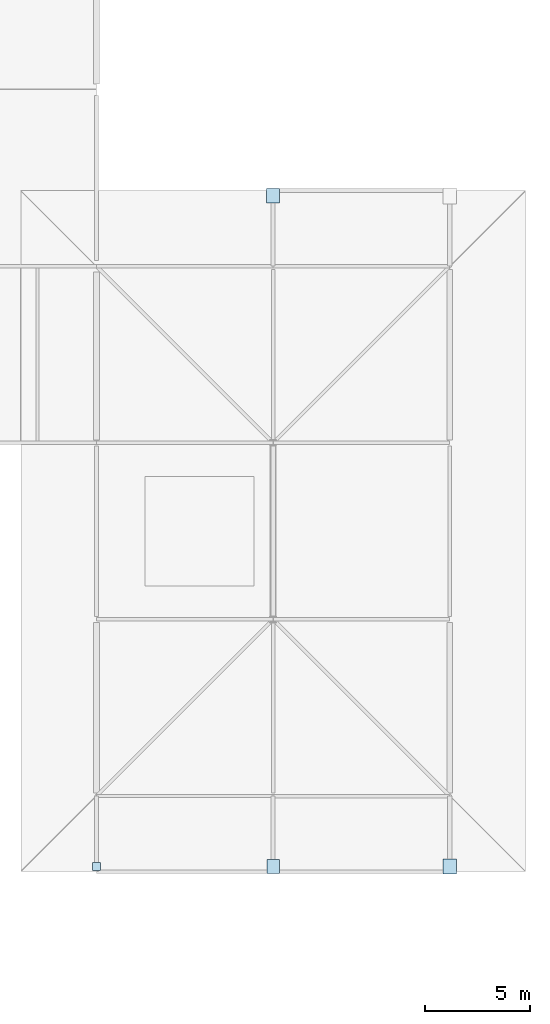
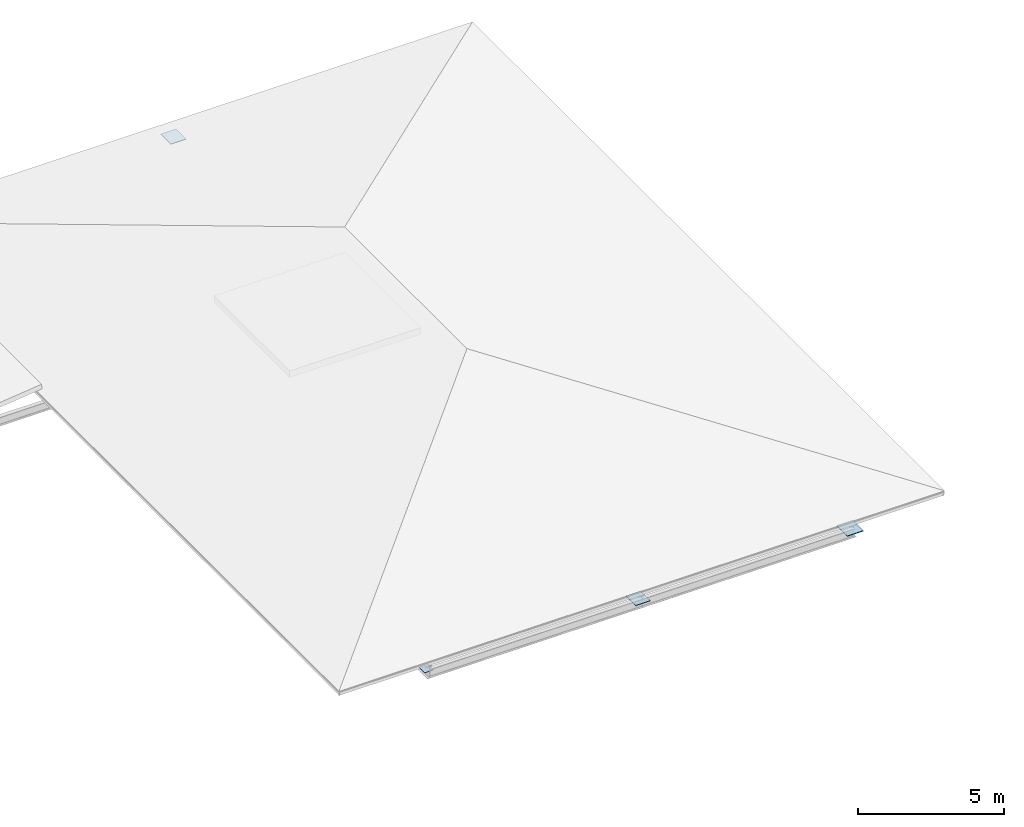
# One storey, part 81 of 103: 4 plates.
"""IFC4 building model written with IfcOpenShell, lengths in metres."""

import ifcopenshell
import ifcopenshell.guid

model = None  # the IFC model being written
_history = None  # IfcOwnerHistory: only IFC2X3 demands one
_inside = {}  # id of a spatial element -> (the spatial element, [elements in it])
_under = {}  # id of a project, library or spatial element -> (it, [spatial elements below it])
_declared = {}  # id of a project -> (the project, [libraries it declares])
_typed = {}  # id of a type object -> (the type object, [elements of that type])
_made_of = {}  # id of a material, layer set ... -> (it, [elements and type objects made of it])


def new_model(schema):
    """Start an empty IFC model of exactly this schema.

    Asked for "IFC4X3", IfcOpenShell would pick the latest addendum, in which some entities
    have other attributes; the version numbers below select the first issue.
    IFC2X3 requires an IfcOwnerHistory on every rooted entity: one is made here for all.
    """
    global model, _history
    if schema == "IFC4X3":
        model = ifcopenshell.file(schema_version=(4, 3, 0, 0))
    else:
        model = ifcopenshell.file(schema=schema)
    _inside.clear()
    _under.clear()
    _declared.clear()
    _typed.clear()
    _made_of.clear()
    _history = None
    if model.schema == "IFC2X3":
        org = make("IfcOrganization", Name="unknown")
        user = make(
            "IfcPersonAndOrganization",
            ThePerson=make("IfcPerson", FamilyName="unknown"),
            TheOrganization=org,
        )
        app = make(
            "IfcApplication",
            ApplicationDeveloper=org,
            Version="unknown",
            ApplicationFullName="unknown",
            ApplicationIdentifier="unknown",
        )
        _history = make(
            "IfcOwnerHistory",
            OwningUser=user,
            OwningApplication=app,
            ChangeAction="ADDED",
            CreationDate=0,
        )
    return model


def make(cls, **values):
    """One entity of the class cls with the attributes given. An attribute that is None is left unset."""
    return model.create_entity(
        cls, **{name: value for name, value in values.items() if value is not None}
    )


def rooted(cls, **values):
    """An entity with a GlobalId (a new one), such as an element, a storey or a relation."""
    return make(cls, GlobalId=ifcopenshell.guid.new(), OwnerHistory=_history, **values)


def si_unit(unit_type, name, prefix=None):
    """IfcSIUnit, for example si_unit("LENGTHUNIT", "METRE", prefix="MILLI")."""
    return make("IfcSIUnit", UnitType=unit_type, Prefix=prefix, Name=name)


def assignment(units):
    """IfcUnitAssignment: the units of a project."""
    return None if units is None else make("IfcUnitAssignment", Units=units)


def point(xyz):
    """IfcCartesianPoint."""
    return None if xyz is None else make("IfcCartesianPoint", Coordinates=xyz)


def direction(xyz):
    """IfcDirection."""
    return None if xyz is None else make("IfcDirection", DirectionRatios=xyz)


def frame(location, z_axis=None, x_axis=None):
    """IfcAxis2Placement3D, a coordinate frame: its origin and axes. An axis left out is left unset."""
    return make(
        "IfcAxis2Placement3D",
        Location=point(location),
        Axis=direction(z_axis),
        RefDirection=direction(x_axis),
    )


def frame_2d(location, x_axis=None):
    """IfcAxis2Placement2D, a coordinate frame in the plane: its origin and x axis."""
    return make(
        "IfcAxis2Placement2D", Location=point(location), RefDirection=direction(x_axis)
    )


def origin():
    """The frame at (0, 0, 0) with its axes left unset."""
    return frame((0.0, 0.0, 0.0))


def origin_2d():
    """The frame at (0, 0) in the plane with its x axis left unset."""
    return frame_2d((0.0, 0.0))


def place(relative_to, where):
    """IfcLocalPlacement: puts the frame where relative to a parent placement (None: the world)."""
    return make(
        "IfcLocalPlacement", PlacementRelTo=relative_to, RelativePlacement=where
    )


def context(
    kind, dimensions, precision=None, world=None, true_north=None, identifier=None
):
    """IfcGeometricRepresentationContext, for example the 3D "Model" context."""
    return make(
        "IfcGeometricRepresentationContext",
        ContextIdentifier=identifier,
        ContextType=kind,
        CoordinateSpaceDimension=dimensions,
        Precision=precision,
        WorldCoordinateSystem=world,
        TrueNorth=true_north,
    )


def subcontext(parent, identifier, kind, view, scale=None):
    """IfcGeometricRepresentationSubContext, for example "Body" below "Model"."""
    return make(
        "IfcGeometricRepresentationSubContext",
        ContextIdentifier=identifier,
        ContextType=kind,
        ParentContext=parent,
        TargetScale=scale,
        TargetView=view,
    )


def project(units=None, contexts=None):
    """IfcProject with its units and contexts."""
    return rooted(
        "IfcProject",
        Name="project",
        RepresentationContexts=contexts,
        UnitsInContext=assignment(units),
    )


def spatial(cls, under=None, at=None, **own):
    """A site, building, storey or space (cls), placed at a placement, below another one or the project."""
    s = rooted(cls, ObjectPlacement=at, **own)
    if under is not None:
        _under.setdefault(under.id(), (under, []))[1].append(s)
    return s


def profile(cls, at=None, kind="AREA", **sizes):
    """A parametric profile (cls). Its sizes go by their IFC names, for example OverallWidth=200.0."""
    return make(cls, ProfileType=kind, Position=at, **sizes)


def rectangle(**sizes):
    """IfcRectangleProfileDef."""
    return profile("IfcRectangleProfileDef", **sizes)


def extrude(swept, where, along, depth):
    """IfcExtrudedAreaSolid: the profile swept, set in the frame where, extruded along a direction by depth."""
    return make(
        "IfcExtrudedAreaSolid",
        SweptArea=swept,
        Position=where,
        ExtrudedDirection=direction(along),
        Depth=depth,
    )


def shape(context_of_items, identifier, shape_type, items):
    """IfcShapeRepresentation: the items that make up one representation, for example the "Body"."""
    return make(
        "IfcShapeRepresentation",
        ContextOfItems=context_of_items,
        RepresentationIdentifier=identifier,
        RepresentationType=shape_type,
        Items=items,
    )


def material(Name=None, Category=None):
    """IfcMaterial."""
    return make("IfcMaterial", Name=Name, Category=Category)


def layer(
    of_material, thickness, ventilated=None, Name=None, Category=None, Priority=None
):
    """IfcMaterialLayer: one layer of a wall or slab, of a material (None: an air gap)."""
    return make(
        "IfcMaterialLayer",
        Material=of_material,
        LayerThickness=thickness,
        IsVentilated=ventilated,
        Name=Name,
        Category=Category,
        Priority=Priority,
    )


def layer_set(layers, Name=None):
    """IfcMaterialLayerSet."""
    return make("IfcMaterialLayerSet", MaterialLayers=layers, LayerSetName=Name)


def made_of(thing, what):
    """Note that an element or type object is made of a material, layer set ...; save() writes the relation."""
    if what is not None:
        _made_of.setdefault(what.id(), (what, []))[1].append(thing)
    return thing


def type_object(cls, material=None, **own):
    """A type object (cls), such as IfcWallType, which elements share."""
    return made_of(rooted(cls, **own), material)


def element(
    cls,
    number,
    at=None,
    inside=None,
    cuts=None,
    type_object=None,
    material=None,
    context=None,
    identifier="Body",
    shape_type=None,
    held_by="IfcProductDefinitionShape",
    body=None,
    shapes=None,
    **own,
):
    """One element of the class cls, such as IfcWall. Its Tag is "e" and its number.

    at: its placement. inside: the storey or other place that contains it. cuts: it is an
    opening in that element (IfcRelVoidsElement). A single representation is given by context,
    identifier, shape_type and body (its items); several are given by shapes. held_by: the class
    of the entity that holds the representations. save() writes the other relations.
    """
    e = rooted(cls, Tag="e%d" % number, ObjectPlacement=at, **own)
    if body is not None:
        shapes = [shape(context, identifier, shape_type, body)]
    if shapes is not None:
        e.Representation = make(held_by, Representations=shapes)
    if inside is not None:
        _inside.setdefault(inside.id(), (inside, []))[1].append(e)
    if cuts is not None:
        rooted(
            "IfcRelVoidsElement", RelatingBuildingElement=cuts, RelatedOpeningElement=e
        )
    if type_object is not None:
        _typed.setdefault(type_object.id(), (type_object, []))[1].append(e)
    return made_of(e, material)


def aggregate(whole, parts):
    """IfcRelAggregates: a whole, such as a stair, and the parts it consists of."""
    return rooted("IfcRelAggregates", RelatingObject=whole, RelatedObjects=parts)


def save(model, path):
    """Write the relations noted so far, then the file.

    IfcRelAggregates (storeys below a building ...), IfcRelContainedInSpatialStructure (elements
    in a storey), IfcRelDefinesByType, IfcRelAssociatesMaterial and IfcRelDeclares: one each for
    every whole, place, type object, material and project.
    """
    for whole, parts in _under.values():
        aggregate(whole, parts)
    for where, things in _inside.values():
        rooted(
            "IfcRelContainedInSpatialStructure",
            RelatedElements=things,
            RelatingStructure=where,
        )
    for kind, things in _typed.values():
        rooted("IfcRelDefinesByType", RelatedObjects=things, RelatingType=kind)
    for what, things in _made_of.values():
        rooted("IfcRelAssociatesMaterial", RelatedObjects=things, RelatingMaterial=what)
    for by, libraries in _declared.values():
        rooted("IfcRelDeclares", RelatingContext=by, RelatedDefinitions=libraries)
    model.write(path)


model = new_model("IFC4")

# Units and contexts
model_context = context("Model", 3, precision=1e-05, world=origin(), true_north=direction((0.0, 1.0)))
body_context = subcontext(model_context, "Body", "Model", "MODEL_VIEW")
ifc_project = project(units=[si_unit("LENGTHUNIT", "METRE"), si_unit("AREAUNIT", "SQUARE_METRE"), si_unit("VOLUMEUNIT", "CUBIC_METRE"), si_unit("PLANEANGLEUNIT", "RADIAN"), si_unit("MASSUNIT", "GRAM", prefix="KILO")], contexts=[model_context])

# Site, building, storey
site_placement = place(None, origin())
site = spatial("IfcSite", under=ifc_project, at=site_placement, CompositionType="ELEMENT")
building_placement = place(site_placement, origin())
building = spatial("IfcBuilding", under=site, at=building_placement, Name="Mersafa Astral City Hall", CompositionType="ELEMENT")
storey_placement = place(building_placement, frame((0.0, 0.0, 18.0)))
storey = spatial("IfcBuildingStorey", under=building, at=storey_placement, Name="L04", CompositionType="ELEMENT", Elevation=18.0)

# Plates
ifc_material = material(Name="Steel S355", Category="steel")
ifc_layer_1 = layer(ifc_material, 0.013916015625, Name="Steel S355")
ifc_layer_set_1 = layer_set([ifc_layer_1], Name="Steel S355 — STR-PLT-NP-1")
plate_type_1 = type_object("IfcPlateType", Name="STR-PLT-NP-1", PredefinedType="SHEET", material=ifc_layer_set_1)
plate_1_placement = place(storey_placement, frame((117.60009765625, 5.050048828125, -0.4169921875), z_axis=(0.0, 0.0, 1.0), x_axis=(1.0, 0.0, 0.0)))
element("IfcPlate", 1, at=plate_1_placement, inside=storey, type_object=plate_type_1, Name="L04 Structural steel eave strut node plate NP-1", PredefinedType="SHEET", context=body_context, shape_type="SweptSolid", body=[
    extrude(rectangle(XDim=0.360107421875, YDim=0.39990234375, at=origin_2d()), origin(), (0.0, 0.0, 1.0), 0.013916015625),
])
ifc_layer_2 = layer(ifc_material, 0.02294921875, Name="Steel S355")
ifc_layer_set_2 = layer_set([ifc_layer_2], Name="Steel S355 — STR-PLT-NP-10")
plate_type_2 = type_object("IfcPlateType", Name="STR-PLT-NP-10", PredefinedType="SHEET", material=ifc_layer_set_2)
plate_2_placement = place(storey_placement, frame((126.0, 5.050048828125, -0.42138671875), z_axis=(0.0, 0.0, 1.0), x_axis=(1.0, 0.0, 0.0)))
element("IfcPlate", 2, at=plate_2_placement, inside=storey, type_object=plate_type_2, Name="L04 Structural steel eave strut node plate NP-10", PredefinedType="SHEET", context=body_context, shape_type="SweptSolid", body=[
    extrude(rectangle(XDim=0.5849609375, YDim=0.669921875, at=origin_2d()), origin(), (0.0, 0.0, 1.0), 0.02294921875),
])
ifc_layer_3 = layer(ifc_material, 0.02392578125, Name="Steel S355")
ifc_layer_set_3 = layer_set([ifc_layer_3], Name="Steel S355 — STR-PLT-NP-11")
plate_type_3 = type_object("IfcPlateType", Name="STR-PLT-NP-11", PredefinedType="SHEET", material=ifc_layer_set_3)
plate_3_placement = place(storey_placement, frame((126.0, 36.949951171875, -0.421875), z_axis=(0.0, 0.0, 1.0), x_axis=(1.0, 0.0, 0.0)))
element("IfcPlate", 3, at=plate_3_placement, inside=storey, type_object=plate_type_3, Name="L04 Structural steel eave strut node plate NP-11", PredefinedType="SHEET", context=body_context, shape_type="SweptSolid", body=[
    extrude(rectangle(XDim=0.610107421875, YDim=0.699951171875, at=origin_2d()), origin(), (0.0, 0.0, 1.0), 0.02392578125),
])
ifc_layer_4 = layer(ifc_material, 0.02490234375, Name="Steel S355")
ifc_layer_set_4 = layer_set([ifc_layer_4], Name="Steel S355 — STR-PLT-NP-12")
plate_type_4 = type_object("IfcPlateType", Name="STR-PLT-NP-12", PredefinedType="SHEET", material=ifc_layer_set_4)
plate_4_placement = place(storey_placement, frame((134.39990234375, 5.050048828125, -0.42236328125), z_axis=(0.0, 0.0, 1.0), x_axis=(1.0, 0.0, 0.0)))
element("IfcPlate", 4, at=plate_4_placement, inside=storey, type_object=plate_type_4, Name="L04 Structural steel eave strut node plate NP-12", PredefinedType="SHEET", context=body_context, shape_type="SweptSolid", body=[
    extrude(rectangle(XDim=0.635009765625, YDim=0.72998046875, at=origin_2d()), origin(), (0.0, 0.0, 1.0), 0.02490234375),
])

save(model, "model.ifc")
